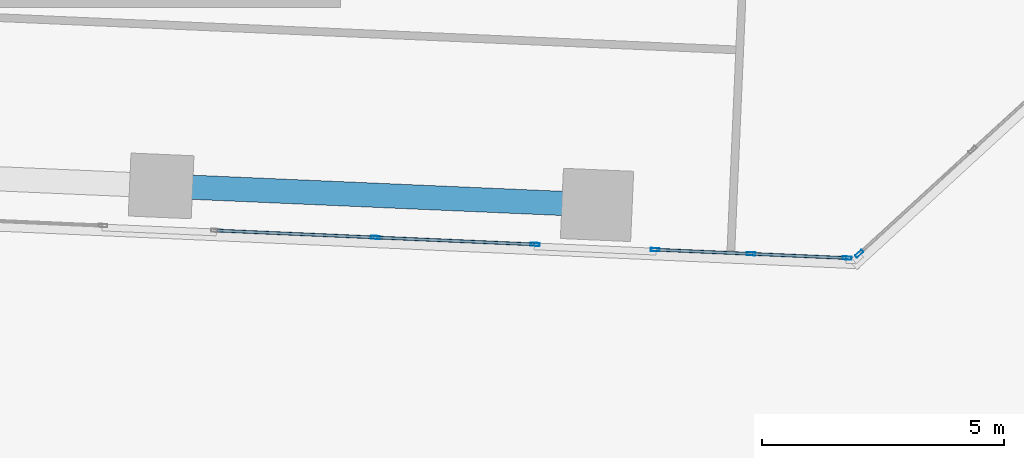
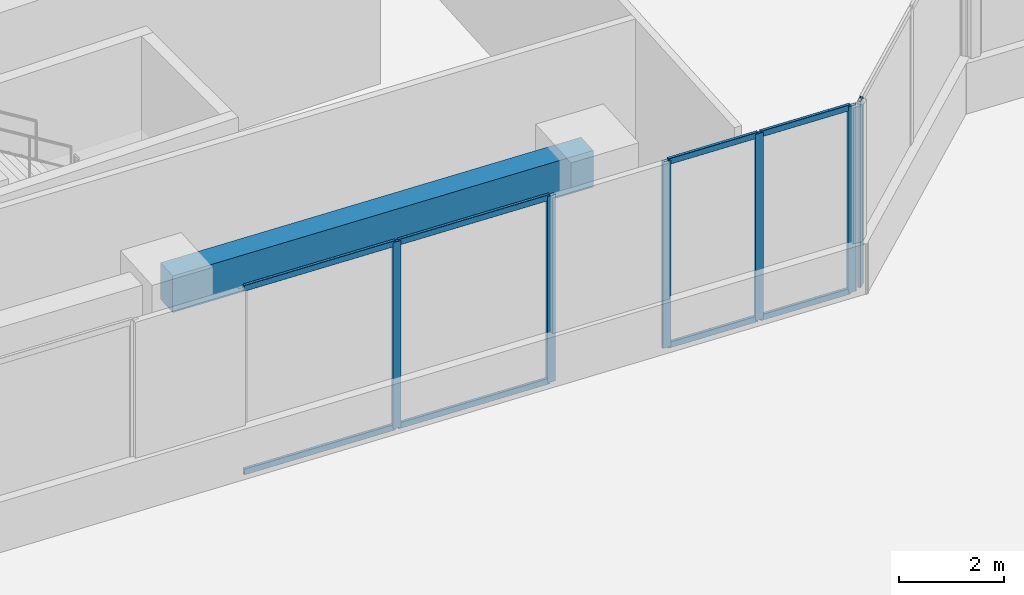
# One storey, part 6 of 33: 14 members, 1 beam, 3 elements without a shape of their own.
"""IFC4 building model written with IfcOpenShell, lengths in metres."""

from ifc_helpers import new_model, si_unit, direction, frame, origin, origin_2d, place, context, subcontext, project, spatial, rectangle, hollow_rectangle, extrude, source, transform, mapped, material, material_profile, profile_set, type_object, element, aggregate, save


model = new_model("IFC4")

# Units and contexts
model_context = context("Model", 3, precision=1e-05, world=origin(), true_north=direction((0.0, 1.0)))
body_context = subcontext(model_context, "Body", "Model", "MODEL_VIEW")
ifc_project = project(units=[si_unit("LENGTHUNIT", "METRE"), si_unit("AREAUNIT", "SQUARE_METRE"), si_unit("VOLUMEUNIT", "CUBIC_METRE"), si_unit("PLANEANGLEUNIT", "RADIAN"), si_unit("MASSUNIT", "GRAM", prefix="KILO")], contexts=[model_context])

# Site, building, storey
site_placement = place(None, origin())
site = spatial("IfcSite", under=ifc_project, at=site_placement, CompositionType="ELEMENT")
building_placement = place(site_placement, origin())
building = spatial("IfcBuilding", under=site, at=building_placement, Name="Torre Montelarca", CompositionType="ELEMENT")
storey_placement = place(building_placement, frame((0.0, 0.0, 32.800048828125)))
storey = spatial("IfcBuildingStorey", under=building, at=storey_placement, Name="L07", CompositionType="ELEMENT", Elevation=32.800048828125)

# Beam
ifc_material_1 = material(Name="Concrete C55/67", Category="concrete")
ifc_material_profile_1 = material_profile(ifc_material_1, rectangle(XDim=0.5, YDim=0.85009765625, at=origin_2d()), Name="RCB500X850", Category="concrete")
ifc_profile_set_1 = profile_set([ifc_material_profile_1], Name="Concrete C55/67")
beam_type = type_object("IfcBeamType", Name="BM-SP-RC850-EXT", PredefinedType="SPANDREL", material=ifc_profile_set_1)
shared_shape_1 = source(origin(), body_context, "Body", "SweptSolid", [
    extrude(rectangle(XDim=0.5, YDim=0.85009765625, at=origin_2d()), origin(), (0.0, 0.0, 1.0), 8.999755859375),
])
beam_placement = place(storey_placement, frame((17.253173828125, 14.968994140625, 4.135009765625), z_axis=(0.999048156805, -0.043620870972, 0.0), x_axis=(0.043620870972, 0.999048156805, 0.0)))
element("IfcBeam", 1, at=beam_placement, inside=storey, type_object=beam_type, Name="L07 Grid Girder X 18.0-27.0 at Y=14.8", PredefinedType="SPANDREL", context=body_context, shape_type="MappedRepresentation", body=[
    mapped(shared_shape_1, transform((0.0, 0.0, 0.0), scale=1.0)),
])

# Curtain wall, members
ifc_material_2 = material(Name="Insulated low-E laminated glass", Category="glass")
curtain_wall_type = type_object("IfcCurtainWallType", Name="CW-SYS-Z1", PredefinedType="USERDEFINED", material=ifc_material_2)
curtain_wall_1_placement = place(storey_placement, origin())
curtain_wall_1 = element("IfcCurtainWall", 2, at=curtain_wall_1_placement, inside=storey, type_object=curtain_wall_type, Name="L07 Curtain Wall Run CW-T3-L07-E01-B2", ObjectType="UNITISED GLAZING", PredefinedType="USERDEFINED")
ifc_material_3 = material(Name="Anodised aluminium AA 6063-T6", Category="aluminium")
ifc_material_profile_2 = material_profile(ifc_material_3, hollow_rectangle(XDim=0.06494140625, YDim=0.179931640625, WallThickness=0.00390625, InnerFilletRadius=0.00390625, OuterFilletRadius=0.008056640625, at=origin_2d()), Name="ALU65X180X4", Category="aluminium")
ifc_profile_set_2 = profile_set([ifc_material_profile_2], Name="Anodised aluminium AA 6063-T6")
member_type_1 = type_object("IfcMemberType", Name="CWM-ALU180", PredefinedType="MULLION", material=ifc_profile_set_2)
shared_shape_2 = source(origin(), body_context, "Body", "SweptSolid", [
    extrude(hollow_rectangle(XDim=0.06494140625, YDim=0.179931640625, WallThickness=0.00390625, InnerFilletRadius=0.00390625, OuterFilletRadius=0.008056640625, at=origin_2d()), origin(), (0.0, 0.0, 1.0), 4.320068359375),
])
member_1_placement = place(storey_placement, frame((21.67333984375, 13.9052734375, 0.0), z_axis=(0.0, 0.0, 1.0), x_axis=(0.043631254645, 0.999047703375, 0.0)))
member_1 = element("IfcMember", 3, at=member_1_placement, type_object=member_type_1, Name="CW mullion 2", PredefinedType="MULLION", context=body_context, shape_type="MappedRepresentation", body=[
    mapped(shared_shape_2, transform((0.0, 0.0, 0.0), scale=1.0)),
])
member_2_placement = place(storey_placement, frame((24.97021484375, 13.76123046875, 0.0), z_axis=(0.0, 0.0, 1.0), x_axis=(0.043631254645, 0.999047703375, 0.0)))
member_2 = element("IfcMember", 4, at=member_2_placement, type_object=member_type_1, Name="CW mullion 3", PredefinedType="MULLION", context=body_context, shape_type="MappedRepresentation", body=[
    mapped(shared_shape_2, transform((0.0, 0.0, 0.0), scale=1.0)),
])

curtain_wall_2_placement = place(storey_placement, origin())
curtain_wall_2 = element("IfcCurtainWall", 5, at=curtain_wall_2_placement, inside=storey, type_object=curtain_wall_type, Name="L07 Curtain Wall Run CW-T3-L07-E01-B3", ObjectType="UNITISED GLAZING", PredefinedType="USERDEFINED")
member_3_placement = place(storey_placement, frame((27.44287109375, 13.6533203125, 0.0), z_axis=(0.0, 0.0, 1.0), x_axis=(0.043606318081, 0.999048792113, 0.0)))
member_3 = element("IfcMember", 6, at=member_3_placement, type_object=member_type_1, Name="CW mullion 1", PredefinedType="MULLION", context=body_context, shape_type="MappedRepresentation", body=[
    mapped(shared_shape_2, transform((0.0, 0.0, 0.0), scale=1.0)),
])
member_4_placement = place(storey_placement, frame((29.423095703125, 13.56689453125, 0.0), z_axis=(0.0, 0.0, 1.0), x_axis=(0.043606318081, 0.999048792113, 0.0)))
member_4 = element("IfcMember", 7, at=member_4_placement, type_object=member_type_1, Name="CW mullion 2", PredefinedType="MULLION", context=body_context, shape_type="MappedRepresentation", body=[
    mapped(shared_shape_2, transform((0.0, 0.0, 0.0), scale=1.0)),
])
member_5_placement = place(storey_placement, frame((31.4033203125, 13.48046875, 0.0), z_axis=(0.0, 0.0, 1.0), x_axis=(0.043606318081, 0.999048792113, 0.0)))
member_5 = element("IfcMember", 8, at=member_5_placement, type_object=member_type_1, Name="CW mullion 3", PredefinedType="MULLION", context=body_context, shape_type="MappedRepresentation", body=[
    mapped(shared_shape_2, transform((0.0, 0.0, 0.0), scale=1.0)),
])

# Curtain wall, member
curtain_wall_3_placement = place(storey_placement, origin())
curtain_wall_3 = element("IfcCurtainWall", 9, at=curtain_wall_3_placement, inside=storey, type_object=curtain_wall_type, Name="L07 Curtain Wall Run CW-T3-L07-E02-B1", ObjectType="UNITISED GLAZING", PredefinedType="USERDEFINED")
member_6_placement = place(storey_placement, frame((31.654052734375, 13.57177734375, 0.0), z_axis=(0.0, 0.0, 1.0), x_axis=(-0.675574618781, 0.737291621042, 0.0)))
member_6 = element("IfcMember", 10, at=member_6_placement, type_object=member_type_1, Name="CW mullion 1", PredefinedType="MULLION", context=body_context, shape_type="MappedRepresentation", body=[
    mapped(shared_shape_2, transform((0.0, 0.0, 0.0), scale=1.0)),
])
aggregate(curtain_wall_3, [member_6])

# Member
ifc_material_profile_3 = material_profile(ifc_material_3, hollow_rectangle(XDim=0.06494140625, YDim=0.139892578125, WallThickness=0.00390625, InnerFilletRadius=0.00390625, OuterFilletRadius=0.008056640625, at=origin_2d()), Name="ALU65X140X4", Category="aluminium")
ifc_profile_set_3 = profile_set([ifc_material_profile_3], Name="Anodised aluminium AA 6063-T6")
member_type_2 = type_object("IfcMemberType", Name="CWT-ALU140", PredefinedType="USERDEFINED", material=ifc_profile_set_3)
shared_shape_3 = source(origin(), body_context, "Body", "SweptSolid", [
    extrude(hollow_rectangle(XDim=0.06494140625, YDim=0.139892578125, WallThickness=0.00390625, InnerFilletRadius=0.00390625, OuterFilletRadius=0.008056640625, at=origin_2d()), origin(), (0.0, 0.0, 1.0), 3.235107421875),
])
member_7_placement = place(storey_placement, frame((18.408935546875, 14.0478515625, 0.032470703125), z_axis=(0.999048167521, -0.043620625535, 0.0), x_axis=(0.043620625535, 0.999048167521, 0.0)))
member_7 = element("IfcMember", 11, at=member_7_placement, type_object=member_type_2, Name="CW transom 1.1", ObjectType="TRANSOM", PredefinedType="USERDEFINED", context=body_context, shape_type="MappedRepresentation", body=[
    mapped(shared_shape_3, transform((0.0, 0.0, 0.0), scale=1.0)),
])

member_8_placement = place(storey_placement, frame((18.408935546875, 14.0478515625, 4.287353515625), z_axis=(0.999048167521, -0.043620625535, 0.0), x_axis=(0.043620625535, 0.999048167521, 0.0)))
member_8 = element("IfcMember", 12, at=member_8_placement, type_object=member_type_2, Name="CW transom 1.2", ObjectType="TRANSOM", PredefinedType="USERDEFINED", context=body_context, shape_type="MappedRepresentation", body=[
    mapped(shared_shape_3, transform((0.0, 0.0, 0.0), scale=1.0)),
])

member_9_placement = place(storey_placement, frame((21.705810546875, 13.90380859375, 0.032470703125), z_axis=(0.999048167521, -0.043620625535, 0.0), x_axis=(0.043620625535, 0.999048167521, 0.0)))
member_9 = element("IfcMember", 13, at=member_9_placement, type_object=member_type_2, Name="CW transom 2.1", ObjectType="TRANSOM", PredefinedType="USERDEFINED", context=body_context, shape_type="MappedRepresentation", body=[
    mapped(shared_shape_3, transform((0.0, 0.0, 0.0), scale=1.0)),
])

member_10_placement = place(storey_placement, frame((21.705810546875, 13.90380859375, 4.287353515625), z_axis=(0.999048167521, -0.043620625535, 0.0), x_axis=(0.043620625535, 0.999048167521, 0.0)))
member_10 = element("IfcMember", 14, at=member_10_placement, type_object=member_type_2, Name="CW transom 2.2", ObjectType="TRANSOM", PredefinedType="USERDEFINED", context=body_context, shape_type="MappedRepresentation", body=[
    mapped(shared_shape_3, transform((0.0, 0.0, 0.0), scale=1.0)),
])

aggregate(curtain_wall_1, [member_1, member_2, member_7, member_8, member_9, member_10])

shared_shape_4 = source(origin(), body_context, "Body", "SweptSolid", [
    extrude(hollow_rectangle(XDim=0.06494140625, YDim=0.139892578125, WallThickness=0.00390625, InnerFilletRadius=0.00390625, OuterFilletRadius=0.008056640625, at=origin_2d()), origin(), (0.0, 0.0, 1.0), 1.9169921875),
])
member_11_placement = place(storey_placement, frame((27.475341796875, 13.65185546875, 0.032470703125), z_axis=(0.99905110572, -0.043553279561, 0.0), x_axis=(0.043553279561, 0.99905110572, 0.0)))
member_11 = element("IfcMember", 15, at=member_11_placement, type_object=member_type_2, Name="CW transom 1.1", ObjectType="TRANSOM", PredefinedType="USERDEFINED", context=body_context, shape_type="MappedRepresentation", body=[
    mapped(shared_shape_4, transform((0.0, 0.0, 0.0), scale=1.0)),
])

member_12_placement = place(storey_placement, frame((27.475341796875, 13.65185546875, 4.287353515625), z_axis=(0.99905110572, -0.043553279561, 0.0), x_axis=(0.043553279561, 0.99905110572, 0.0)))
member_12 = element("IfcMember", 16, at=member_12_placement, type_object=member_type_2, Name="CW transom 1.2", ObjectType="TRANSOM", PredefinedType="USERDEFINED", context=body_context, shape_type="MappedRepresentation", body=[
    mapped(shared_shape_4, transform((0.0, 0.0, 0.0), scale=1.0)),
])

member_13_placement = place(storey_placement, frame((29.45556640625, 13.5654296875, 0.032470703125), z_axis=(0.99905110572, -0.043553279561, 0.0), x_axis=(0.043553279561, 0.99905110572, 0.0)))
member_13 = element("IfcMember", 17, at=member_13_placement, type_object=member_type_2, Name="CW transom 2.1", ObjectType="TRANSOM", PredefinedType="USERDEFINED", context=body_context, shape_type="MappedRepresentation", body=[
    mapped(shared_shape_4, transform((0.0, 0.0, 0.0), scale=1.0)),
])

member_14_placement = place(storey_placement, frame((29.45556640625, 13.5654296875, 4.287353515625), z_axis=(0.99905110572, -0.043553279561, 0.0), x_axis=(0.043553279561, 0.99905110572, 0.0)))
member_14 = element("IfcMember", 18, at=member_14_placement, type_object=member_type_2, Name="CW transom 2.2", ObjectType="TRANSOM", PredefinedType="USERDEFINED", context=body_context, shape_type="MappedRepresentation", body=[
    mapped(shared_shape_4, transform((0.0, 0.0, 0.0), scale=1.0)),
])

aggregate(curtain_wall_2, [member_3, member_4, member_5, member_11, member_12, member_13, member_14])

save(model, "model.ifc")
